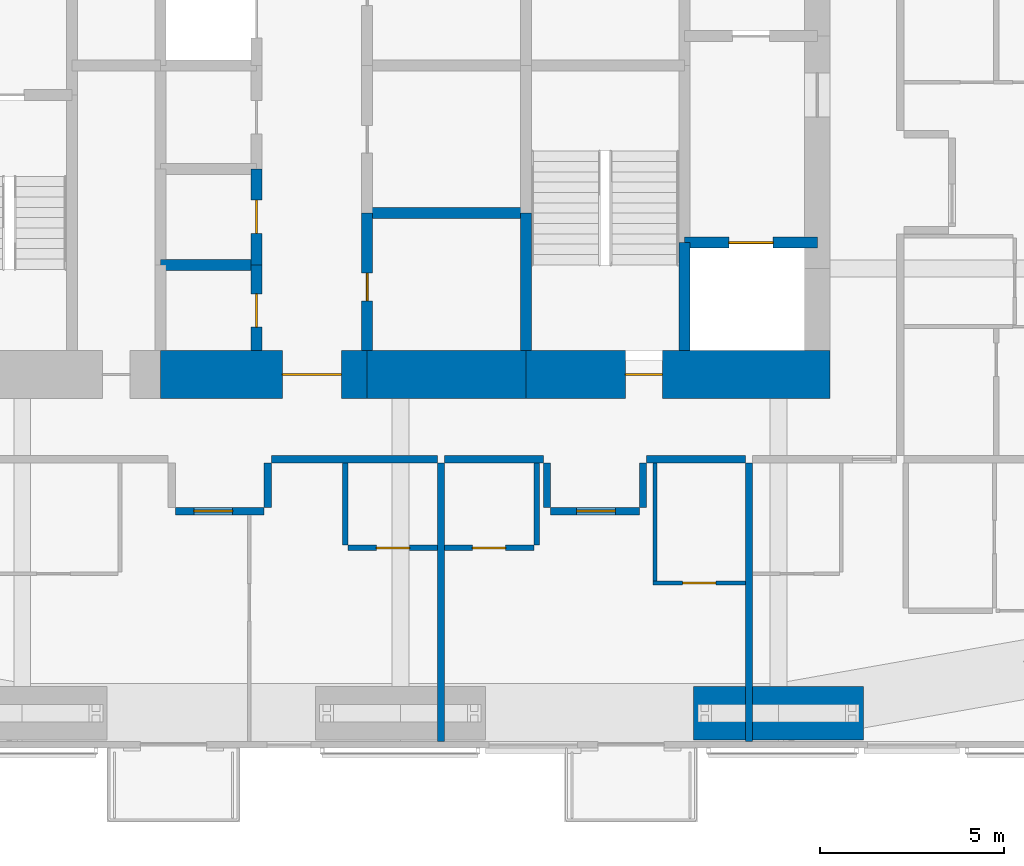
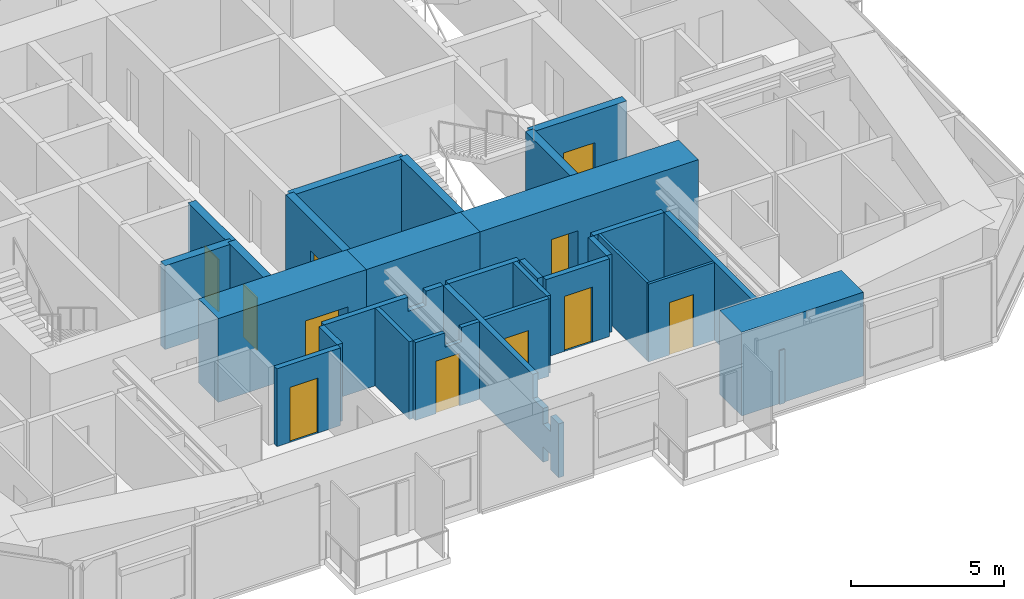
# One storey, part 16 of 23: 28 walls, 11 doors, 11 openings.
"""IFC4 building model written with IfcOpenShell, lengths in metres."""

from ifc_helpers import new_model, si_unit, direction, frame, frame_2d, origin, place, context, subcontext, project, spatial, polyline, rectangle, outline, extrude, material, layer, layer_set, constituent, constituent_set, type_object, element, fill, save


model = new_model("IFC4")

# Units and contexts
model_context = context("Model", 3, precision=1e-05, world=origin(), true_north=direction((0.0, 1.0)))
body_context = subcontext(model_context, "Body", "Model", "MODEL_VIEW")
ifc_project = project(units=[si_unit("LENGTHUNIT", "METRE"), si_unit("AREAUNIT", "SQUARE_METRE"), si_unit("VOLUMEUNIT", "CUBIC_METRE"), si_unit("PLANEANGLEUNIT", "RADIAN"), si_unit("MASSUNIT", "GRAM", prefix="KILO")], contexts=[model_context])

# Site, building, storey
site_placement = place(None, origin())
site = spatial("IfcSite", under=ifc_project, at=site_placement, CompositionType="ELEMENT")
building_placement = place(site_placement, origin())
building = spatial("IfcBuilding", under=site, at=building_placement, Name="Jalousie Tower", CompositionType="ELEMENT")
storey_placement = place(building_placement, frame((0.0, 0.0, 171.10009765625)))
storey = spatial("IfcBuildingStorey", under=building, at=storey_placement, Name="L46", CompositionType="ELEMENT", Elevation=171.10009765625)

# Wall, opening, door
ifc_material_1 = material(Name="Concrete block ASTM C90", Category="concrete")
ifc_constituent_1 = constituent(ifc_material_1, Name="Body")
ifc_material_2 = material(Name="Render")
ifc_constituent_2 = constituent(ifc_material_2, Name="Finish")
ifc_constituent_set_1 = constituent_set(constituents=[ifc_constituent_1, ifc_constituent_2])
wall_type_1 = type_object("IfcWallType", Name="BATHROOM WALL 150", PredefinedType="PLUMBINGWALL", material=ifc_constituent_set_1)
wall_1_placement = place(storey_placement, frame((31.074951171875, 5.425048828125, 0.0), z_axis=(0.0, 0.0, 1.0), x_axis=(1.0, 0.0, 0.0)))
wall_1 = element("IfcWall", 1, at=wall_1_placement, inside=storey, type_object=wall_type_1, Name="Bathroom Wall 150 L46", PredefinedType="PLUMBINGWALL", context=body_context, shape_type="SweptSolid", body=[
    extrude(outline(polyline([(0.0, 0.0), (2.425048828125, 0.0), (2.425048828125, 3.10986328125), (1.7373046875, 3.10986328125), (1.7373046875, 2.541015625), (1.112548828125, 2.541015625), (1.112548828125, 3.10986328125), (0.0, 3.10986328125), (0.0, 0.0)])), frame((0.0, 0.074951171875, 0.0), z_axis=(0.0, -1.0, 0.0), x_axis=(1.0, 0.0, 0.0)), (0.0, 0.0, 1.0), 0.14990234375),
])
opening_1_placement = place(wall_1_placement, frame((0.77490234375, 0.0, 0.0)))
opening_1 = element("IfcOpeningElement", 2, at=opening_1_placement, cuts=wall_1, Name="Opening D3", PredefinedType="OPENING", context=body_context, shape_type="SweptSolid", body=[
    extrude(rectangle(XDim=0.89990234375, YDim=2.10009765625, at=frame_2d((0.449951171875, 1.050048828125))), frame((0.0, 0.0849609375, 0.0), z_axis=(0.0, -1.0, 0.0), x_axis=(1.0, 0.0, 0.0)), (0.0, 0.0, 1.0), 0.169921875),
])
ifc_material_3 = material(Name="Timber door", Category="wood")
door_type_1 = type_object("IfcDoorType", Name="BATHROOM DOOR 900", OperationType="SINGLE_SWING_LEFT", PredefinedType="DOOR", material=ifc_material_3)
door_1_placement = place(opening_1_placement, origin())
door_1 = element("IfcDoor", 3, at=door_1_placement, inside=storey, type_object=door_type_1, Name="Apartment 4602 bathroom door", OperationType="SINGLE_SWING_RIGHT", OverallHeight=2.10009765625, OverallWidth=0.89990234375, PredefinedType="DOOR", context=body_context, shape_type="SweptSolid", body=[
    extrude(rectangle(XDim=0.89990234375, YDim=2.10009765625, at=frame_2d((0.449951171875, 1.050048828125))), frame((0.0, 0.02490234375, 0.0), z_axis=(0.0, -1.0, 0.0), x_axis=(1.0, 0.0, 0.0)), (0.0, 0.0, 1.0), 0.050048828125),
])
fill(opening_1, door_1)

# Wall
wall_2_placement = place(storey_placement, frame((31.0, 5.5, 0.0), z_axis=(0.0, 0.0, 1.0), x_axis=(0.0, 1.0, 0.0)))
element("IfcWall", 4, at=wall_2_placement, inside=storey, type_object=wall_type_1, Name="Bathroom Wall 150 L46", PredefinedType="PLUMBINGWALL", context=body_context, shape_type="SweptSolid", body=[
    extrude(rectangle(XDim=2.22509765625, YDim=0.14990234375, at=frame_2d((1.112548828125, 0.0))), origin(), (0.0, 0.0, 1.0), 3.10986328125),
])

# Wall, opening, door
wall_3_placement = place(storey_placement, frame((33.699951171875, 5.425048828125, 0.0), z_axis=(0.0, 0.0, 1.0), x_axis=(1.0, 0.0, 0.0)))
wall_3 = element("IfcWall", 5, at=wall_3_placement, inside=storey, type_object=wall_type_1, Name="Bathroom Wall 150 L46", PredefinedType="PLUMBINGWALL", context=body_context, shape_type="SweptSolid", body=[
    extrude(rectangle(XDim=2.425048828125, YDim=0.14990234375, at=frame_2d((1.21240234375, 0.0))), origin(), (0.0, 0.0, 1.0), 3.10986328125),
])
opening_2_placement = place(wall_3_placement, frame((0.75, 0.0, 0.0)))
opening_2 = element("IfcOpeningElement", 6, at=opening_2_placement, cuts=wall_3, Name="Opening D3", PredefinedType="OPENING", context=body_context, shape_type="SweptSolid", body=[
    extrude(rectangle(XDim=0.89990234375, YDim=2.10009765625, at=frame_2d((0.449951171875, 1.050048828125))), frame((0.0, 0.0849609375, 0.0), z_axis=(0.0, -1.0, 0.0), x_axis=(1.0, 0.0, 0.0)), (0.0, 0.0, 1.0), 0.169921875),
])
door_2_placement = place(opening_2_placement, origin())
door_2 = element("IfcDoor", 7, at=door_2_placement, inside=storey, type_object=door_type_1, Name="Apartment 4603 bathroom door", OperationType="SINGLE_SWING_LEFT", OverallHeight=2.10009765625, OverallWidth=0.89990234375, PredefinedType="DOOR", context=body_context, shape_type="SweptSolid", body=[
    extrude(rectangle(XDim=0.89990234375, YDim=2.10009765625, at=frame_2d((0.449951171875, 1.050048828125))), frame((0.0, 0.02490234375, 0.0), z_axis=(0.0, -1.0, 0.0), x_axis=(1.0, 0.0, 0.0)), (0.0, 0.0, 1.0), 0.050048828125),
])
fill(opening_2, door_2)

# Wall
wall_4_placement = place(storey_placement, frame((36.199951171875, 5.5, 0.0), z_axis=(0.0, 0.0, 1.0), x_axis=(0.0, 1.0, 0.0)))
element("IfcWall", 8, at=wall_4_placement, inside=storey, type_object=wall_type_1, Name="Bathroom Wall 150 L46", PredefinedType="PLUMBINGWALL", context=body_context, shape_type="SweptSolid", body=[
    extrude(rectangle(XDim=2.22509765625, YDim=0.14990234375, at=frame_2d((1.112548828125, 0.0))), origin(), (0.0, 0.0, 1.0), 3.10986328125),
])

# Wall, opening, door
ifc_material_4 = material(Name="Concrete f'c 120 MPa", Category="concrete")
ifc_layer_1 = layer(ifc_material_4, 1.300048828125)
ifc_layer_set_1 = layer_set([ifc_layer_1], Name="Concrete f'c 120 MPa")
wall_type_2 = type_object("IfcWallType", Name="CORE WALL 1300", PredefinedType="SHEAR", material=ifc_layer_set_1)
wall_5_placement = place(storey_placement, frame((26.0, 10.125, 0.0), z_axis=(0.0, 0.0, 1.0), x_axis=(1.0, 0.0, 0.0)))
wall_5 = element("IfcWall", 9, at=wall_5_placement, inside=storey, type_object=wall_type_2, Name="Core wall SB L46", PredefinedType="SHEAR", context=body_context, shape_type="SweptSolid", body=[
    extrude(rectangle(XDim=5.60009765625, YDim=1.300048828125, at=frame_2d((2.800048828125, 0.0))), origin(), (0.0, 0.0, 1.0), 3.349853515625),
])
opening_3_placement = place(wall_5_placement, frame((3.300048828125, 0.0, 0.0)))
opening_3 = element("IfcOpeningElement", 10, at=opening_3_placement, cuts=wall_5, Name="Opening D15", PredefinedType="OPENING", context=body_context, shape_type="SweptSolid", body=[
    extrude(rectangle(XDim=1.60009765625, YDim=2.10009765625, at=frame_2d((0.800048828125, 1.050048828125))), frame((0.0, 0.659912109375, 0.0), z_axis=(0.0, -1.0, 0.0), x_axis=(1.0, 0.0, 0.0)), (0.0, 0.0, 1.0), 1.320068359375),
])
ifc_material_5 = material(Name="Steel fire door", Category="steel")
door_type_2 = type_object("IfcDoorType", Name="LIFT LOBBY DOOR 1600", OperationType="DOUBLE_DOOR_SINGLE_SWING", PredefinedType="DOOR", material=ifc_material_5)
door_3_placement = place(opening_3_placement, origin())
door_3 = element("IfcDoor", 11, at=door_3_placement, inside=storey, type_object=door_type_2, Name="Lift lobby south door", OperationType="DOUBLE_DOOR_SINGLE_SWING", OverallHeight=2.10009765625, OverallWidth=1.60009765625, PredefinedType="DOOR", context=body_context, shape_type="SweptSolid", body=[
    extrude(rectangle(XDim=1.60009765625, YDim=2.10009765625, at=frame_2d((0.800048828125, 1.050048828125))), frame((0.0, 0.02490234375, 0.0), z_axis=(0.0, -1.0, 0.0), x_axis=(1.0, 0.0, 0.0)), (0.0, 0.0, 1.0), 0.050048828125),
])
fill(opening_3, door_3)

# Wall
wall_6_placement = place(storey_placement, frame((31.60009765625, 10.125, 0.0), z_axis=(0.0, 0.0, 1.0), x_axis=(1.0, 0.0, 0.0)))
element("IfcWall", 12, at=wall_6_placement, inside=storey, type_object=wall_type_2, Name="Core wall SC L46", PredefinedType="SHEAR", context=body_context, shape_type="SweptSolid", body=[
    extrude(rectangle(XDim=4.2998046875, YDim=1.300048828125, at=frame_2d((2.14990234375, 0.0))), origin(), (0.0, 0.0, 1.0), 3.349853515625),
])

# Wall, opening, door
wall_7_placement = place(storey_placement, frame((35.89990234375, 10.125, 0.0), z_axis=(0.0, 0.0, 1.0), x_axis=(1.0, 0.0, 0.0)))
wall_7 = element("IfcWall", 13, at=wall_7_placement, inside=storey, type_object=wall_type_2, Name="Core wall SD L46", PredefinedType="SHEAR", context=body_context, shape_type="SweptSolid", body=[
    extrude(rectangle(XDim=8.25, YDim=1.300048828125, at=frame_2d((4.125, 0.0))), origin(), (0.0, 0.0, 1.0), 3.349853515625),
])
opening_4_placement = place(wall_7_placement, frame((2.699951171875, 0.0, 0.0)))
opening_4 = element("IfcOpeningElement", 14, at=opening_4_placement, cuts=wall_7, Name="Opening D10", PredefinedType="OPENING", context=body_context, shape_type="SweptSolid", body=[
    extrude(rectangle(XDim=1.0, YDim=2.10009765625, at=frame_2d((0.5, 1.050048828125))), frame((0.0, 0.659912109375, 0.0), z_axis=(0.0, -1.0, 0.0), x_axis=(1.0, 0.0, 0.0)), (0.0, 0.0, 1.0), 1.320068359375),
])
ifc_material_6 = material(Name="Steel fire door", Category="steel")
door_type_3 = type_object("IfcDoorType", Name="STAIR DOOR 1000", OperationType="SINGLE_SWING_LEFT", PredefinedType="DOOR", material=ifc_material_6)
door_4_placement = place(opening_4_placement, origin())
door_4 = element("IfcDoor", 15, at=door_4_placement, inside=storey, type_object=door_type_3, Name="Exit stair C door", OperationType="SINGLE_SWING_RIGHT", OverallHeight=2.10009765625, OverallWidth=1.0, PredefinedType="DOOR", context=body_context, shape_type="SweptSolid", body=[
    extrude(rectangle(XDim=1.0, YDim=2.10009765625, at=frame_2d((0.5, 1.050048828125))), frame((0.0, 0.02490234375, 0.0), z_axis=(0.0, -1.0, 0.0), x_axis=(1.0, 0.0, 0.0)), (0.0, 0.0, 1.0), 0.050048828125),
])
fill(opening_4, door_4)

ifc_material_7 = material(Name="Concrete f'c 120 MPa", Category="concrete")
ifc_layer_2 = layer(ifc_material_7, 0.300048828125)
ifc_layer_set_2 = layer_set([ifc_layer_2], Name="Concrete f'c 120 MPa")
wall_type_3 = type_object("IfcWallType", Name="CORE WALL 300", PredefinedType="SHEAR", material=ifc_layer_set_2)
wall_8_placement = place(storey_placement, frame((28.60009765625, 10.77490234375, 0.0), z_axis=(0.0, 0.0, 1.0), x_axis=(0.0, 1.0, 0.0)))
wall_8 = element("IfcWall", 16, at=wall_8_placement, inside=storey, type_object=wall_type_3, Name="Core wall X28.6A L46", PredefinedType="SHEAR", context=body_context, shape_type="SweptSolid", body=[
    extrude(rectangle(XDim=2.3251953125, YDim=0.300048828125, at=frame_2d((1.16259765625, 0.0))), origin(), (0.0, 0.0, 1.0), 3.349853515625),
])
opening_5_placement = place(wall_8_placement, frame((0.637451171875, 0.0, 0.0)))
opening_5 = element("IfcOpeningElement", 17, at=opening_5_placement, cuts=wall_8, Name="Opening D24", PredefinedType="OPENING", context=body_context, shape_type="SweptSolid", body=[
    extrude(rectangle(XDim=0.89990234375, YDim=2.10009765625, at=frame_2d((0.449951171875, 1.050048828125))), frame((0.0, 0.159912109375, 0.0), z_axis=(0.0, -1.0, 0.0), x_axis=(1.0, 0.0, 0.0)), (0.0, 0.0, 1.0), 0.320068359375),
])
ifc_material_8 = material(Name="Steel fire door", Category="steel")
door_type_4 = type_object("IfcDoorType", Name="CORE ROOM DOOR 900", OperationType="SINGLE_SWING_LEFT", PredefinedType="DOOR", material=ifc_material_8)
door_5_placement = place(opening_5_placement, origin())
door_5 = element("IfcDoor", 18, at=door_5_placement, inside=storey, type_object=door_type_4, Name="Staff WC door", OperationType="SINGLE_SWING_RIGHT", OverallHeight=2.10009765625, OverallWidth=0.89990234375, PredefinedType="DOOR", context=body_context, shape_type="SweptSolid", body=[
    extrude(rectangle(XDim=0.89990234375, YDim=2.10009765625, at=frame_2d((0.449951171875, 1.050048828125))), frame((0.0, 0.02490234375, 0.0), z_axis=(0.0, -1.0, 0.0), x_axis=(1.0, 0.0, 0.0)), (0.0, 0.0, 1.0), 0.050048828125),
])
fill(opening_5, door_5)

wall_9_placement = place(storey_placement, frame((28.60009765625, 13.10009765625, 0.0), z_axis=(0.0, 0.0, 1.0), x_axis=(0.0, 1.0, 0.0)))
wall_9 = element("IfcWall", 19, at=wall_9_placement, inside=storey, type_object=wall_type_3, Name="Core wall X28.6B L46", PredefinedType="SHEAR", context=body_context, shape_type="SweptSolid", body=[
    extrude(rectangle(XDim=2.599853515625, YDim=0.300048828125, at=frame_2d((1.2998046875, 0.0))), origin(), (0.0, 0.0, 1.0), 3.349853515625),
])
opening_6_placement = place(wall_9_placement, frame((0.85009765625, 0.0, 0.0)))
opening_6 = element("IfcOpeningElement", 20, at=opening_6_placement, cuts=wall_9, Name="Opening D24", PredefinedType="OPENING", context=body_context, shape_type="SweptSolid", body=[
    extrude(rectangle(XDim=0.89990234375, YDim=2.10009765625, at=frame_2d((0.449951171875, 1.050048828125))), frame((0.0, 0.159912109375, 0.0), z_axis=(0.0, -1.0, 0.0), x_axis=(1.0, 0.0, 0.0)), (0.0, 0.0, 1.0), 0.320068359375),
])
door_6_placement = place(opening_6_placement, origin())
door_6 = element("IfcDoor", 21, at=door_6_placement, inside=storey, type_object=door_type_4, Name="IT room door", OperationType="SINGLE_SWING_RIGHT", OverallHeight=2.10009765625, OverallWidth=0.89990234375, PredefinedType="DOOR", context=body_context, shape_type="SweptSolid", body=[
    extrude(rectangle(XDim=0.89990234375, YDim=2.10009765625, at=frame_2d((0.449951171875, 1.050048828125))), frame((0.0, 0.02490234375, 0.0), z_axis=(0.0, -1.0, 0.0), x_axis=(1.0, 0.0, 0.0)), (0.0, 0.0, 1.0), 0.050048828125),
])
fill(opening_6, door_6)

wall_10_placement = place(storey_placement, frame((31.60009765625, 10.77490234375, 0.0), z_axis=(0.0, 0.0, 1.0), x_axis=(0.0, 1.0, 0.0)))
wall_10 = element("IfcWall", 22, at=wall_10_placement, inside=storey, type_object=wall_type_3, Name="Core wall X31.6A L46", PredefinedType="SHEAR", context=body_context, shape_type="SweptSolid", body=[
    extrude(rectangle(XDim=3.72509765625, YDim=0.300048828125, at=frame_2d((1.862548828125, 0.0))), origin(), (0.0, 0.0, 1.0), 3.349853515625),
])
opening_7_placement = place(wall_10_placement, frame((1.35009765625, 0.0, 0.0)))
opening_7 = element("IfcOpeningElement", 23, at=opening_7_placement, cuts=wall_10, Name="Opening D16", PredefinedType="OPENING", context=body_context, shape_type="SweptSolid", body=[
    extrude(rectangle(XDim=0.75, YDim=2.10009765625, at=frame_2d((0.375, 1.050048828125))), frame((0.0, 0.159912109375, 0.0), z_axis=(0.0, -1.0, 0.0), x_axis=(1.0, 0.0, 0.0)), (0.0, 0.0, 1.0), 0.320068359375),
])
ifc_material_9 = material(Name="Steel fire door", Category="steel")
door_type_5 = type_object("IfcDoorType", Name="RISER DOOR 750", OperationType="SINGLE_SWING_LEFT", PredefinedType="DOOR", material=ifc_material_9)
door_7_placement = place(opening_7_placement, frame((0.75, 0.0, 0.0), z_axis=(0.0, 0.0, 1.0), x_axis=(-1.0, 0.0, 0.0)))
door_7 = element("IfcDoor", 24, at=door_7_placement, inside=storey, type_object=door_type_5, Name="Refuse Room door", OperationType="SINGLE_SWING_RIGHT", OverallHeight=2.10009765625, OverallWidth=0.75, PredefinedType="DOOR", context=body_context, shape_type="SweptSolid", body=[
    extrude(rectangle(XDim=0.75, YDim=2.10009765625, at=frame_2d((0.375, 1.050048828125))), frame((0.0, 0.02490234375, 0.0), z_axis=(0.0, -1.0, 0.0), x_axis=(1.0, 0.0, 0.0)), (0.0, 0.0, 1.0), 0.050048828125),
])
fill(opening_7, door_7)

# Walls
wall_11_placement = place(storey_placement, frame((35.89990234375, 10.77490234375, 0.0), z_axis=(0.0, 0.0, 1.0), x_axis=(0.0, 1.0, 0.0)))
element("IfcWall", 25, at=wall_11_placement, inside=storey, type_object=wall_type_3, Name="Core wall X35.9A L46", PredefinedType="SHEAR", context=body_context, shape_type="SweptSolid", body=[
    extrude(rectangle(XDim=3.72509765625, YDim=0.300048828125, at=frame_2d((1.862548828125, 0.0))), origin(), (0.0, 0.0, 1.0), 3.349853515625),
])
wall_12_placement = place(storey_placement, frame((40.199951171875, 10.77490234375, 0.0), z_axis=(0.0, 0.0, 1.0), x_axis=(0.0, 1.0, 0.0)))
element("IfcWall", 26, at=wall_12_placement, inside=storey, type_object=wall_type_3, Name="Core wall X40.2A L46", PredefinedType="SHEAR", context=body_context, shape_type="SweptSolid", body=[
    extrude(rectangle(XDim=2.925048828125, YDim=0.300048828125, at=frame_2d((1.46240234375, 0.0))), origin(), (0.0, 0.0, 1.0), 3.349853515625),
])
wall_13_placement = place(storey_placement, frame((26.0, 13.10009765625, 0.0), z_axis=(0.0, 0.0, 1.0), x_axis=(1.0, 0.0, 0.0)))
element("IfcWall", 27, at=wall_13_placement, inside=storey, type_object=wall_type_3, Name="Core wall Y26-13.1 L46", PredefinedType="SHEAR", context=body_context, shape_type="SweptSolid", body=[
    extrude(rectangle(XDim=2.60009765625, YDim=0.300048828125, at=frame_2d((1.300048828125, 0.0))), origin(), (0.0, 0.0, 1.0), 3.349853515625),
])
wall_14_placement = place(storey_placement, frame((31.60009765625, 14.5, 0.0), z_axis=(0.0, 0.0, 1.0), x_axis=(1.0, 0.0, 0.0)))
element("IfcWall", 28, at=wall_14_placement, inside=storey, type_object=wall_type_3, Name="Core wall Y31.6-14.5 L46", PredefinedType="SHEAR", context=body_context, shape_type="SweptSolid", body=[
    extrude(rectangle(XDim=4.2998046875, YDim=0.300048828125, at=frame_2d((2.14990234375, 0.0))), origin(), (0.0, 0.0, 1.0), 3.349853515625),
])

# Wall, opening, door
wall_15_placement = place(storey_placement, frame((40.199951171875, 13.699951171875, 0.0), z_axis=(0.0, 0.0, 1.0), x_axis=(1.0, 0.0, 0.0)))
wall_15 = element("IfcWall", 29, at=wall_15_placement, inside=storey, type_object=wall_type_3, Name="Core wall Y40.2-13.7 L46", PredefinedType="SHEAR", context=body_context, shape_type="SweptSolid", body=[
    extrude(rectangle(XDim=3.60009765625, YDim=0.300048828125, at=frame_2d((1.800048828125, 0.0))), origin(), (0.0, 0.0, 1.0), 3.349853515625),
])
opening_8_placement = place(wall_15_placement, frame((1.199951171875, 0.0, 0.0)))
opening_8 = element("IfcOpeningElement", 30, at=opening_8_placement, cuts=wall_15, Name="Opening LD2", PredefinedType="OPENING", context=body_context, shape_type="SweptSolid", body=[
    extrude(rectangle(XDim=1.199951171875, YDim=2.10009765625, at=frame_2d((0.60009765625, 1.050048828125))), frame((0.0, 0.159912109375, 0.0), z_axis=(0.0, -1.0, 0.0), x_axis=(1.0, 0.0, 0.0)), (0.0, 0.0, 1.0), 0.320068359375),
])
ifc_material_10 = material(Name="Steel lift landing door", Category="steel")
door_type_6 = type_object("IfcDoorType", Name="LIFT LANDING DOOR 1200", OperationType="SLIDING_TO_LEFT", PredefinedType="DOOR", material=ifc_material_10)
door_8_placement = place(opening_8_placement, origin())
door_8 = element("IfcDoor", 31, at=door_8_placement, inside=storey, type_object=door_type_6, Name="Lift F2 landing door", OperationType="SLIDING_TO_LEFT", OverallHeight=2.10009765625, OverallWidth=1.199951171875, PredefinedType="DOOR", context=body_context, shape_type="SweptSolid", body=[
    extrude(rectangle(XDim=1.199951171875, YDim=2.10009765625, at=frame_2d((0.60009765625, 1.050048828125))), frame((0.0, 0.02490234375, 0.0), z_axis=(0.0, -1.0, 0.0), x_axis=(1.0, 0.0, 0.0)), (0.0, 0.0, 1.0), 0.050048828125),
])
fill(opening_8, door_8)

# Walls
ifc_material_11 = material(Name="Concrete block ASTM C90", Category="concrete")
ifc_constituent_3 = constituent(ifc_material_11, Name="Body")
ifc_material_12 = material(Name="Render")
ifc_constituent_4 = constituent(ifc_material_12, Name="Finish")
ifc_constituent_set_2 = constituent_set(constituents=[ifc_constituent_3, ifc_constituent_4])
wall_type_4 = type_object("IfcWallType", Name="CORRIDOR WALL 200", PredefinedType="PARTITIONING", material=ifc_constituent_set_2)
wall_16_placement = place(storey_placement, frame((33.699951171875, 7.824951171875, 0.0), z_axis=(0.0, 0.0, 1.0), x_axis=(1.0, 0.0, 0.0)))
element("IfcWall", 32, at=wall_16_placement, inside=storey, type_object=wall_type_4, Name="Corridor Wall 200 L46", PredefinedType="PARTITIONING", context=body_context, shape_type="SweptSolid", body=[
    extrude(rectangle(XDim=2.675048828125, YDim=0.199951171875, at=frame_2d((1.33740234375, 0.0))), origin(), (0.0, 0.0, 1.0), 3.10986328125),
])
wall_17_placement = place(storey_placement, frame((29.0, 7.824951171875, 0.0), z_axis=(0.0, 0.0, 1.0), x_axis=(1.0, 0.0, 0.0)))
element("IfcWall", 33, at=wall_17_placement, inside=storey, type_object=wall_type_4, Name="Corridor Wall 200 L46", PredefinedType="PARTITIONING", context=body_context, shape_type="SweptSolid", body=[
    extrude(outline(polyline([(0.0, 0.0), (4.5, 0.0), (4.5, 3.10986328125), (3.83740234375, 3.10986328125), (3.83740234375, 2.541015625), (3.16259765625, 2.541015625), (3.16259765625, 3.10986328125), (0.0, 3.10986328125), (0.0, 0.0)])), frame((0.0, 0.10009765625, 0.0), z_axis=(0.0, -1.0, 0.0), x_axis=(1.0, 0.0, 0.0)), (0.0, 0.0, 1.0), 0.199951171875),
])

# Wall, opening, door
wall_18_placement = place(storey_placement, frame((26.39990234375, 6.425048828125, 0.0), z_axis=(0.0, 0.0, 1.0), x_axis=(1.0, 0.0, 0.0)))
wall_18 = element("IfcWall", 34, at=wall_18_placement, inside=storey, type_object=wall_type_4, Name="Corridor Wall 200 L46", PredefinedType="PARTITIONING", context=body_context, shape_type="SweptSolid", body=[
    extrude(rectangle(XDim=2.400146484375, YDim=0.199951171875, at=frame_2d((1.2001953125, 0.0))), origin(), (0.0, 0.0, 1.0), 3.10986328125),
])
opening_9_placement = place(wall_18_placement, frame((0.5, 0.0, 0.0)))
opening_9 = element("IfcOpeningElement", 35, at=opening_9_placement, cuts=wall_18, Name="Opening D1", PredefinedType="OPENING", context=body_context, shape_type="SweptSolid", body=[
    extrude(rectangle(XDim=1.050048828125, YDim=2.199951171875, at=frame_2d((0.52490234375, 1.10009765625))), frame((0.0, 0.10986328125, 0.0), z_axis=(0.0, -1.0, 0.0), x_axis=(1.0, 0.0, 0.0)), (0.0, 0.0, 1.0), 0.219970703125),
])
ifc_material_13 = material(Name="Timber fire door", Category="wood")
door_type_7 = type_object("IfcDoorType", Name="APARTMENT ENTRANCE DOOR 1050", OperationType="SINGLE_SWING_LEFT", PredefinedType="DOOR", material=ifc_material_13)
door_9_placement = place(opening_9_placement, frame((1.050048828125, 0.0, 0.0), z_axis=(0.0, 0.0, 1.0), x_axis=(-1.0, 0.0, 0.0)))
door_9 = element("IfcDoor", 36, at=door_9_placement, inside=storey, type_object=door_type_7, Name="Apartment 4602 entrance", OperationType="SINGLE_SWING_LEFT", OverallHeight=2.199951171875, OverallWidth=1.050048828125, PredefinedType="DOOR", context=body_context, shape_type="SweptSolid", body=[
    extrude(rectangle(XDim=1.050048828125, YDim=2.199951171875, at=frame_2d((0.52490234375, 1.10009765625))), frame((0.0, 0.02490234375, 0.0), z_axis=(0.0, -1.0, 0.0), x_axis=(1.0, 0.0, 0.0)), (0.0, 0.0, 1.0), 0.050048828125),
])
fill(opening_9, door_9)

# Walls
wall_19_placement = place(storey_placement, frame((28.89990234375, 7.72509765625, 0.0), z_axis=(0.0, 0.0, 1.0), x_axis=(0.0, -1.0, 0.0)))
element("IfcWall", 37, at=wall_19_placement, inside=storey, type_object=wall_type_4, Name="Corridor Wall 200 L46", PredefinedType="PARTITIONING", context=body_context, shape_type="SweptSolid", body=[
    extrude(rectangle(XDim=1.2001953125, YDim=0.199951171875, at=frame_2d((0.60009765625, 0.0))), origin(), (0.0, 0.0, 1.0), 3.10986328125),
])
wall_20_placement = place(storey_placement, frame((39.175048828125, 7.824951171875, 0.0), z_axis=(0.0, 0.0, 1.0), x_axis=(1.0, 0.0, 0.0)))
element("IfcWall", 38, at=wall_20_placement, inside=storey, type_object=wall_type_4, Name="Corridor Wall 200 L46", PredefinedType="PARTITIONING", context=body_context, shape_type="SweptSolid", body=[
    extrude(rectangle(XDim=2.675048828125, YDim=0.199951171875, at=frame_2d((1.33740234375, 0.0))), origin(), (0.0, 0.0, 1.0), 3.10986328125),
])

# Wall, opening, door
wall_21_placement = place(storey_placement, frame((36.574951171875, 6.425048828125, 0.0), z_axis=(0.0, 0.0, 1.0), x_axis=(1.0, 0.0, 0.0)))
wall_21 = element("IfcWall", 39, at=wall_21_placement, inside=storey, type_object=wall_type_4, Name="Corridor Wall 200 L46", PredefinedType="PARTITIONING", context=body_context, shape_type="SweptSolid", body=[
    extrude(rectangle(XDim=2.400146484375, YDim=0.199951171875, at=frame_2d((1.2001953125, 0.0))), origin(), (0.0, 0.0, 1.0), 3.10986328125),
])
opening_10_placement = place(wall_21_placement, frame((0.699951171875, 0.0, 0.0)))
opening_10 = element("IfcOpeningElement", 40, at=opening_10_placement, cuts=wall_21, Name="Opening D1", PredefinedType="OPENING", context=body_context, shape_type="SweptSolid", body=[
    extrude(rectangle(XDim=1.050048828125, YDim=2.199951171875, at=frame_2d((0.52490234375, 1.10009765625))), frame((0.0, 0.10986328125, 0.0), z_axis=(0.0, -1.0, 0.0), x_axis=(1.0, 0.0, 0.0)), (0.0, 0.0, 1.0), 0.219970703125),
])
door_10_placement = place(opening_10_placement, frame((1.050048828125, 0.0, 0.0), z_axis=(0.0, 0.0, 1.0), x_axis=(-1.0, 0.0, 0.0)))
door_10 = element("IfcDoor", 41, at=door_10_placement, inside=storey, type_object=door_type_7, Name="Apartment 4603 entrance", OperationType="SINGLE_SWING_RIGHT", OverallHeight=2.199951171875, OverallWidth=1.050048828125, PredefinedType="DOOR", context=body_context, shape_type="SweptSolid", body=[
    extrude(rectangle(XDim=1.050048828125, YDim=2.199951171875, at=frame_2d((0.52490234375, 1.10009765625))), frame((0.0, 0.02490234375, 0.0), z_axis=(0.0, -1.0, 0.0), x_axis=(1.0, 0.0, 0.0)), (0.0, 0.0, 1.0), 0.050048828125),
])
fill(opening_10, door_10)

# Walls
for number, where, z_axis, x_axis, name in (
    (42, (36.47509765625, 7.72509765625, 0.0), (0.0, 0.0, 1.0), (0.0, -1.0, 0.0), "Corridor Wall 200 L46"),
    (43, (39.074951171875, 7.72509765625, 0.0), (0.0, 0.0, 1.0), (0.0, -1.0, 0.0), "Corridor Wall 200 L46"),
):
    element("IfcWall", number, at=place(storey_placement, frame(where, z_axis=z_axis, x_axis=x_axis)), inside=storey, type_object=wall_type_4, Name=name, PredefinedType="PARTITIONING", context=body_context, shape_type="SweptSolid", body=[
        extrude(rectangle(XDim=1.2001953125, YDim=0.199951171875, at=frame_2d((0.60009765625, 0.0))), origin(), (0.0, 0.0, 1.0), 3.10986328125),
    ])

# Wall, opening, door
ifc_material_14 = material(Name="Gypsum board", Category="gypsum")
ifc_constituent_5 = constituent(ifc_material_14, Name="Body")
ifc_material_15 = material(Name="Light-gauge steel studs ASTM A653 SS Grade 33", Category="steel")
ifc_constituent_6 = constituent(ifc_material_15, Name="Framing")
ifc_constituent_set_3 = constituent_set(constituents=[ifc_constituent_5, ifc_constituent_6])
wall_type_5 = type_object("IfcWallType", Name="PARTITION 100", PredefinedType="PARTITIONING", material=ifc_constituent_set_3)
wall_22_placement = place(storey_placement, frame((41.85009765625, 4.47509765625, 0.0), z_axis=(0.0, 0.0, 1.0), x_axis=(-1.0, 0.0, 0.0)))
wall_22 = element("IfcWall", 44, at=wall_22_placement, inside=storey, type_object=wall_type_5, Name="Partition 100 L46", PredefinedType="PARTITIONING", context=body_context, shape_type="SweptSolid", body=[
    extrude(rectangle(XDim=2.5, YDim=0.10009765625, at=frame_2d((1.25, 0.0))), origin(), (0.0, 0.0, 1.0), 3.10986328125),
])
opening_11_placement = place(wall_22_placement, frame((0.800048828125, 0.0, 0.0)))
opening_11 = element("IfcOpeningElement", 45, at=opening_11_placement, cuts=wall_22, Name="Opening D7", PredefinedType="OPENING", context=body_context, shape_type="SweptSolid", body=[
    extrude(rectangle(XDim=0.89990234375, YDim=2.10009765625, at=frame_2d((0.449951171875, 1.050048828125))), frame((0.0, 0.06005859375, 0.0), z_axis=(0.0, -1.0, 0.0), x_axis=(1.0, 0.0, 0.0)), (0.0, 0.0, 1.0), 0.1201171875),
])
ifc_material_16 = material(Name="Timber door", Category="wood")
door_type_8 = type_object("IfcDoorType", Name="INTERNAL DOOR 900", OperationType="SINGLE_SWING_LEFT", PredefinedType="DOOR", material=ifc_material_16)
door_11_placement = place(opening_11_placement, frame((0.89990234375, 0.0, 0.0), z_axis=(0.0, 0.0, 1.0), x_axis=(-1.0, 0.0, 0.0)))
door_11 = element("IfcDoor", 46, at=door_11_placement, inside=storey, type_object=door_type_8, Name="Apartment 4603 kitchen door", OperationType="SINGLE_SWING_LEFT", OverallHeight=2.10009765625, OverallWidth=0.89990234375, PredefinedType="DOOR", context=body_context, shape_type="SweptSolid", body=[
    extrude(rectangle(XDim=0.89990234375, YDim=2.10009765625, at=frame_2d((0.449951171875, 1.050048828125))), frame((0.0, 0.02490234375, 0.0), z_axis=(0.0, -1.0, 0.0), x_axis=(1.0, 0.0, 0.0)), (0.0, 0.0, 1.0), 0.050048828125),
])
fill(opening_11, door_11)

# Walls
wall_23_placement = place(storey_placement, frame((39.39990234375, 7.72509765625, 0.0), z_axis=(0.0, 0.0, 1.0), x_axis=(0.0, -1.0, 0.0)))
element("IfcWall", 47, at=wall_23_placement, inside=storey, type_object=wall_type_5, Name="Partition 100 L46", PredefinedType="PARTITIONING", context=body_context, shape_type="SweptSolid", body=[
    extrude(rectangle(XDim=3.2001953125, YDim=0.10009765625, at=frame_2d((1.60009765625, 0.0))), origin(), (0.0, 0.0, 1.0), 3.10986328125),
])
ifc_material_17 = material(Name="Concrete block ASTM C90", Category="concrete")
ifc_constituent_7 = constituent(ifc_material_17, Name="Body")
ifc_material_18 = material(Name="Render")
ifc_constituent_8 = constituent(ifc_material_18, Name="Finish")
ifc_constituent_set_4 = constituent_set(constituents=[ifc_constituent_7, ifc_constituent_8])
wall_type_6 = type_object("IfcWallType", Name="PARTY WALL 200", PredefinedType="PARTITIONING", material=ifc_constituent_set_4)
wall_24_placement = place(storey_placement, frame((33.60009765625, 0.175048828125, 0.0), z_axis=(0.0, 0.0, 1.0), x_axis=(0.0, 1.0, 0.0)))
element("IfcWall", 48, at=wall_24_placement, inside=storey, type_object=wall_type_6, Name="Party Wall 200 L46", PredefinedType="PARTITIONING", context=body_context, shape_type="SweptSolid", body=[
    extrude(outline(polyline([(0.52880859375, 2.14990234375), (0.0, 2.14990234375), (0.0, 0.0), (0.52880859375, 0.0), (0.52880859375, 0.625), (1.021240234375, 0.625), (1.021240234375, 0.0), (7.550048828125, 0.0), (7.550048828125, 3.10986328125), (1.68505859375, 3.10986328125), (1.68505859375, 2.14990234375), (1.021240234375, 2.14990234375), (1.021240234375, 1.524658203125), (0.52880859375, 1.524658203125), (0.52880859375, 2.14990234375)])), frame((0.0, 0.10009765625, 0.0), z_axis=(0.0, -1.0, 0.0), x_axis=(1.0, 0.0, 0.0)), (0.0, 0.0, 1.0), 0.199951171875),
])
wall_25_placement = place(storey_placement, frame((41.949951171875, 0.175048828125, 0.0), z_axis=(0.0, 0.0, 1.0), x_axis=(0.0, 1.0, 0.0)))
element("IfcWall", 49, at=wall_25_placement, inside=storey, type_object=wall_type_6, Name="Party Wall 200 L46", PredefinedType="PARTITIONING", context=body_context, shape_type="SweptSolid", body=[
    extrude(outline(polyline([(0.52880859375, 2.14990234375), (0.0, 2.14990234375), (0.0, 0.0), (0.52880859375, 0.0), (0.52880859375, 0.876220703125), (1.021240234375, 0.876220703125), (1.021240234375, 0.0), (7.550048828125, 0.0), (7.550048828125, 3.10986328125), (1.68505859375, 3.10986328125), (1.68505859375, 2.14990234375), (1.021240234375, 2.14990234375), (1.021240234375, 1.2734375), (0.52880859375, 1.2734375), (0.52880859375, 2.14990234375)])), frame((0.0, 0.10009765625, 0.0), z_axis=(0.0, -1.0, 0.0), x_axis=(1.0, 0.0, 0.0)), (0.0, 0.0, 1.0), 0.199951171875),
])
ifc_material_19 = material(Name="Concrete f'c 120 MPa", Category="concrete")
ifc_layer_3 = layer(ifc_material_19, 1.449951171875)
ifc_layer_set_3 = layer_set([ifc_layer_3], Name="Concrete f'c 120 MPa")
wall_type_7 = type_object("IfcWallType", Name="RC WALL PIER 1450", PredefinedType="SHEAR", material=ifc_layer_set_3)
wall_26_placement = place(storey_placement, frame((40.449951171875, 0.949951171875, 0.0), z_axis=(0.0, 0.0, 1.0), x_axis=(1.0, 0.0, 0.0)))
element("IfcWall", 50, at=wall_26_placement, inside=storey, type_object=wall_type_7, Name="Wall pier 04 L46", PredefinedType="SHEAR", context=body_context, shape_type="SweptSolid", body=[
    extrude(rectangle(XDim=4.60009765625, YDim=1.449951171875, at=frame_2d((2.300048828125, 0.0))), origin(), (0.0, 0.0, 1.0), 3.349853515625),
])

save(model, "model.ifc")
